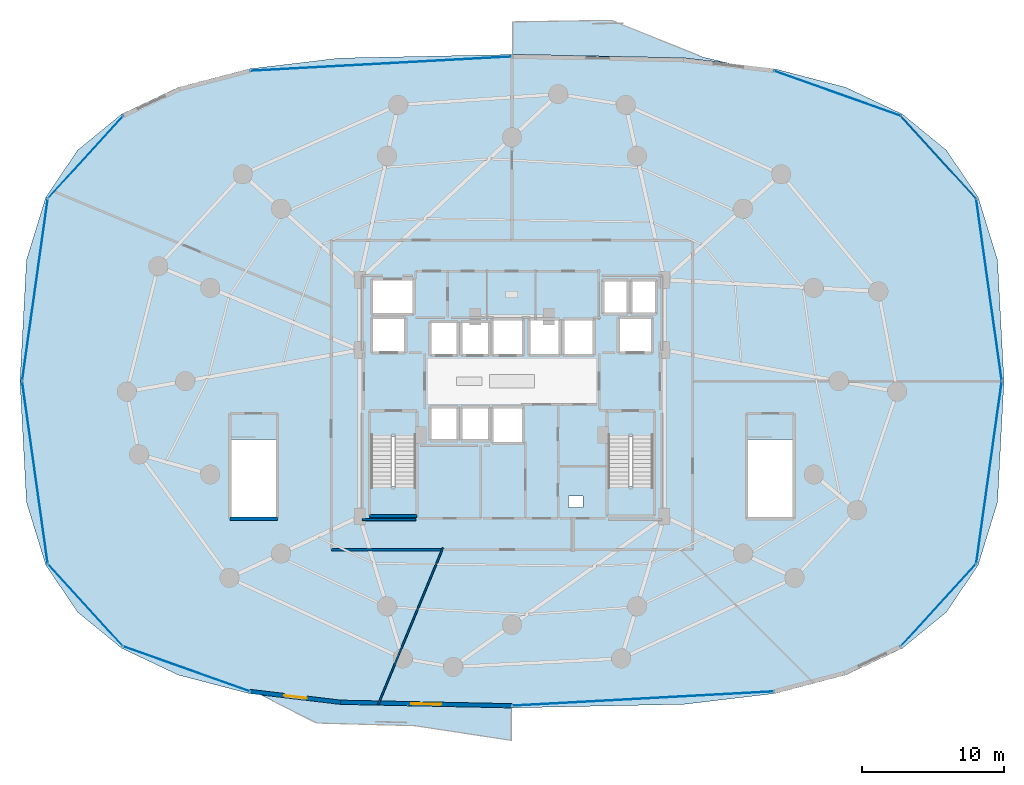
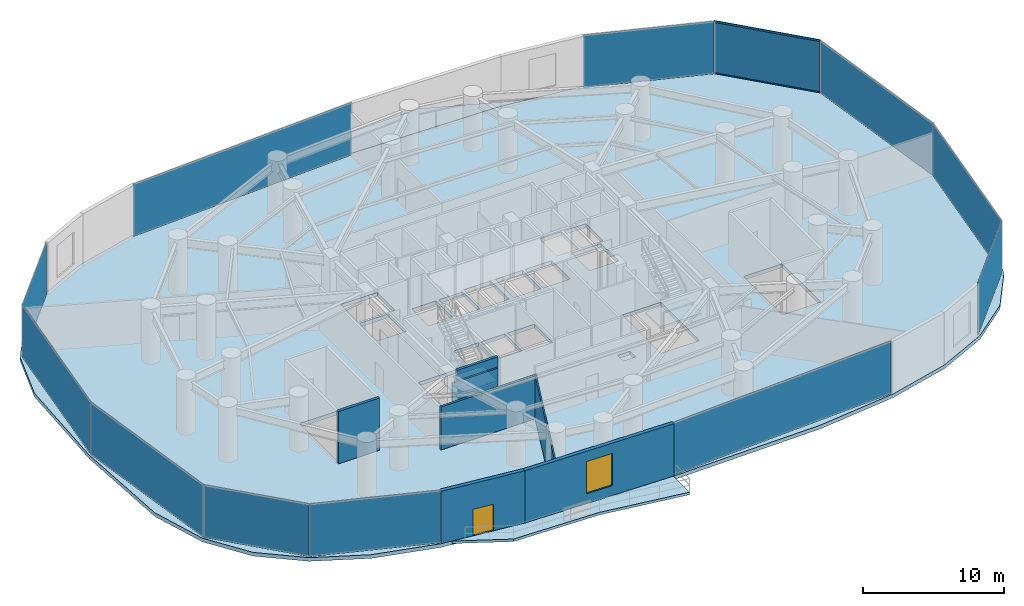
# One storey, part 25 of 32: 12 plates, 7 walls, 5 slabs, 2 members, 1 door, 1 window, 2 openings, 6 elements without a shape of their own.
"""IFC4 building model written with IfcOpenShell, lengths in metres."""

from ifc_helpers import new_model, si_unit, direction, frame, frame_2d, origin, origin_2d, place, context, subcontext, project, spatial, polyline, rectangle, hollow_rectangle, outline, extrude, material, layer, layer_set, material_profile, profile_set, type_object, element, fill, aggregate, save


model = new_model("IFC4")

# Units and contexts
model_context = context("Model", 3, precision=1e-05, world=origin(), true_north=direction((0.0, 1.0)))
body_context = subcontext(model_context, "Body", "Model", "MODEL_VIEW")
ifc_project = project(units=[si_unit("LENGTHUNIT", "METRE"), si_unit("AREAUNIT", "SQUARE_METRE"), si_unit("VOLUMEUNIT", "CUBIC_METRE"), si_unit("PLANEANGLEUNIT", "RADIAN"), si_unit("MASSUNIT", "GRAM", prefix="KILO")], contexts=[model_context])

# Site, building, storey
site_placement = place(None, origin())
site = spatial("IfcSite", under=ifc_project, at=site_placement, CompositionType="ELEMENT")
building_placement = place(site_placement, origin())
building = spatial("IfcBuilding", under=site, at=building_placement, Name="Vorneva Point Tower", CompositionType="ELEMENT")
storey_placement = place(building_placement, frame((0.0, 0.0, 19.199951171875)))
storey = spatial("IfcBuildingStorey", under=building, at=storey_placement, Name="L04", CompositionType="ELEMENT", Elevation=19.199951171875)

# Curtain wall, members, plates
ifc_material_1 = material(Name="Pale anodised aluminium", Category="aluminium")
curtain_wall_type = type_object("IfcCurtainWallType", Name="CW-POD-SYS", PredefinedType="NOTDEFINED", material=ifc_material_1)
curtain_wall_1_placement = place(storey_placement, origin())
curtain_wall_1 = element("IfcCurtainWall", 1, at=curtain_wall_1_placement, inside=storey, type_object=curtain_wall_type, Name="L04 Unitised Curtain Wall CW-L04-R01", PredefinedType="NOTDEFINED")
ifc_material_profile = material_profile(ifc_material_1, hollow_rectangle(XDim=0.074951171875, YDim=0.14990234375, WallThickness=0.00390625, at=origin_2d()), Name="AL-TRN 150x75x4")
ifc_profile_set = profile_set([ifc_material_profile], Name="Pale anodised aluminium")
member_type = type_object("IfcMemberType", Name="CW-TRN-150", PredefinedType="USERDEFINED", material=ifc_profile_set)
member_1_placement = place(storey_placement, frame((70.749755859375, 38.890869140625, 0.02001953125), z_axis=(-0.674755734316, 0.738041122843, 0.0), x_axis=(-0.738041122843, -0.674755734316, 0.0)))
member_1 = element("IfcMember", 2, at=member_1_placement, type_object=member_type, Name="CW-L04-R01 Transom 04.1", ObjectType="TRANSOM", PredefinedType="USERDEFINED", context=body_context, shape_type="SweptSolid", body=[
    extrude(hollow_rectangle(XDim=0.074951171875, YDim=0.14990234375, WallThickness=0.00390625, at=origin_2d()), origin(), (0.0, 0.0, 1.0), 7.900634765625),
])
member_2_placement = place(storey_placement, frame((70.749755859375, 38.890869140625, 4.52001953125), z_axis=(-0.674755734316, 0.738041122843, 0.0), x_axis=(-0.738041122843, -0.674755734316, 0.0)))
member_2 = element("IfcMember", 3, at=member_2_placement, type_object=member_type, Name="CW-L04-R01 Transom 04.2", ObjectType="TRANSOM", PredefinedType="USERDEFINED", context=body_context, shape_type="SweptSolid", body=[
    extrude(hollow_rectangle(XDim=0.074951171875, YDim=0.14990234375, WallThickness=0.00390625, at=origin_2d()), origin(), (0.0, 0.0, 1.0), 7.900634765625),
])
ifc_material_2 = material(Name="Double low-e laminated glass IGU", Category="glass")
ifc_layer_1 = layer(ifc_material_2, 0.035888671875)
ifc_layer_set_1 = layer_set([ifc_layer_1], Name="Double low-e laminated glass IGU")
plate_type = type_object("IfcPlateType", Name="CW-PNL-VIS", PredefinedType="CURTAIN_PANEL", material=ifc_layer_set_1)
plate_1_placement = place(storey_placement, frame((68.084228515625, 10.193603515625, -0.02001953125), z_axis=(0.0, 0.0, 1.0), x_axis=(0.674753358443, 0.738043294983, 0.0)))
plate_1 = element("IfcPlate", 4, at=plate_1_placement, type_object=plate_type, Name="CW-L04-R01 Glazed Panel 01", PredefinedType="CURTAIN_PANEL", context=body_context, shape_type="SweptSolid", body=[
    extrude(rectangle(XDim=7.850830078125, YDim=0.035888671875, at=origin_2d()), origin(), (0.0, 0.0, 1.0), 4.580078125),
])
plate_2_placement = place(storey_placement, frame((71.6552734375, 19.5546875, -0.02001953125), z_axis=(0.0, 0.0, 1.0), x_axis=(0.139121250454, 0.990275354471, 0.0)))
plate_2 = element("IfcPlate", 5, at=plate_2_placement, type_object=plate_type, Name="CW-L04-R01 Glazed Panel 02", PredefinedType="CURTAIN_PANEL", context=body_context, shape_type="SweptSolid", body=[
    extrude(rectangle(XDim=12.96728515625, YDim=0.035888671875, at=origin_2d()), origin(), (0.0, 0.0, 1.0), 4.580078125),
])
plate_3_placement = place(storey_placement, frame((71.6552734375, 32.4453125, -0.02001953125), z_axis=(0.0, 0.0, 1.0), x_axis=(-0.139121250454, 0.990275354471, 0.0)))
plate_3 = element("IfcPlate", 6, at=plate_3_placement, type_object=plate_type, Name="CW-L04-R01 Glazed Panel 03", PredefinedType="CURTAIN_PANEL", context=body_context, shape_type="SweptSolid", body=[
    extrude(rectangle(XDim=12.96728515625, YDim=0.035888671875, at=origin_2d()), origin(), (0.0, 0.0, 1.0), 4.580078125),
])
plate_4_placement = place(storey_placement, frame((68.084228515625, 41.806396484375, -0.02001953125), z_axis=(0.0, 0.0, 1.0), x_axis=(-0.674753358443, 0.738043294983, 0.0)))
plate_4 = element("IfcPlate", 7, at=plate_4_placement, type_object=plate_type, Name="CW-L04-R01 Glazed Panel 04", PredefinedType="CURTAIN_PANEL", context=body_context, shape_type="SweptSolid", body=[
    extrude(rectangle(XDim=7.850830078125, YDim=0.035888671875, at=origin_2d()), origin(), (0.0, 0.0, 1.0), 4.580078125),
])
plate_5_placement = place(storey_placement, frame((60.950439453125, 46.307373046875, -0.02001953125), z_axis=(0.0, 0.0, 1.0), x_axis=(-0.942431568001, 0.334399072421, 0.0)))
plate_5 = element("IfcPlate", 8, at=plate_5_placement, type_object=plate_type, Name="CW-L04-R01 Glazed Panel 05", PredefinedType="CURTAIN_PANEL", context=body_context, shape_type="SweptSolid", body=[
    extrude(rectangle(XDim=9.431884765625, YDim=0.035888671875, at=origin_2d()), origin(), (0.0, 0.0, 1.0), 4.580078125),
])
aggregate(curtain_wall_1, [plate_1, plate_2, plate_3, member_1, member_2, plate_4, plate_5])

# Curtain wall, plate
curtain_wall_2_placement = place(storey_placement, origin())
curtain_wall_2 = element("IfcCurtainWall", 9, at=curtain_wall_2_placement, inside=storey, type_object=curtain_wall_type, Name="L04 Unitised Curtain Wall CW-L04-R02", PredefinedType="NOTDEFINED")
plate_6_placement = place(storey_placement, frame((28.7587890625, 48.397216796875, -0.02001953125), z_axis=(0.0, 0.0, 1.0), x_axis=(-0.998514881247, -0.054479646927, 0.0)))
plate_6 = element("IfcPlate", 10, at=plate_6_placement, type_object=plate_type, Name="CW-L04-R02 Glazed Panel 01", PredefinedType="CURTAIN_PANEL", context=body_context, shape_type="SweptSolid", body=[
    extrude(rectangle(XDim=18.4599609375, YDim=0.035888671875, at=origin_2d()), origin(), (0.0, 0.0, 1.0), 4.580078125),
])
aggregate(curtain_wall_2, [plate_6])

# Curtain wall, plates
curtain_wall_3_placement = place(storey_placement, origin())
curtain_wall_3 = element("IfcCurtainWall", 11, at=curtain_wall_3_placement, inside=storey, type_object=curtain_wall_type, Name="L04 Unitised Curtain Wall CW-L04-R03", PredefinedType="NOTDEFINED")
plate_7_placement = place(storey_placement, frame((7.915771484375, 41.806396484375, -0.02001953125), z_axis=(0.0, 0.0, 1.0), x_axis=(-0.674753358443, -0.738043294983, 0.0)))
plate_7 = element("IfcPlate", 12, at=plate_7_placement, type_object=plate_type, Name="CW-L04-R03 Glazed Panel 01", PredefinedType="CURTAIN_PANEL", context=body_context, shape_type="SweptSolid", body=[
    extrude(rectangle(XDim=7.850830078125, YDim=0.035888671875, at=origin_2d()), origin(), (0.0, 0.0, 1.0), 4.580078125),
])
plate_8_placement = place(storey_placement, frame((4.3447265625, 32.4453125, -0.02001953125), z_axis=(0.0, 0.0, 1.0), x_axis=(-0.139121250454, -0.990275354471, 0.0)))
plate_8 = element("IfcPlate", 13, at=plate_8_placement, type_object=plate_type, Name="CW-L04-R03 Glazed Panel 02", PredefinedType="CURTAIN_PANEL", context=body_context, shape_type="SweptSolid", body=[
    extrude(rectangle(XDim=12.96728515625, YDim=0.035888671875, at=origin_2d()), origin(), (0.0, 0.0, 1.0), 4.580078125),
])
plate_9_placement = place(storey_placement, frame((4.3447265625, 19.5546875, -0.02001953125), z_axis=(0.0, 0.0, 1.0), x_axis=(0.139121250454, -0.990275354471, 0.0)))
plate_9 = element("IfcPlate", 14, at=plate_9_placement, type_object=plate_type, Name="CW-L04-R03 Glazed Panel 03", PredefinedType="CURTAIN_PANEL", context=body_context, shape_type="SweptSolid", body=[
    extrude(rectangle(XDim=12.96728515625, YDim=0.035888671875, at=origin_2d()), origin(), (0.0, 0.0, 1.0), 4.580078125),
])
plate_10_placement = place(storey_placement, frame((7.915771484375, 10.193603515625, -0.02001953125), z_axis=(0.0, 0.0, 1.0), x_axis=(0.674753358443, -0.738043294983, 0.0)))
plate_10 = element("IfcPlate", 15, at=plate_10_placement, type_object=plate_type, Name="CW-L04-R03 Glazed Panel 04", PredefinedType="CURTAIN_PANEL", context=body_context, shape_type="SweptSolid", body=[
    extrude(rectangle(XDim=7.850830078125, YDim=0.035888671875, at=origin_2d()), origin(), (0.0, 0.0, 1.0), 4.580078125),
])
plate_11_placement = place(storey_placement, frame((15.049560546875, 5.692626953125, -0.02001953125), z_axis=(0.0, 0.0, 1.0), x_axis=(0.942431568001, -0.334399072421, 0.0)))
plate_11 = element("IfcPlate", 16, at=plate_11_placement, type_object=plate_type, Name="CW-L04-R03 Glazed Panel 05", PredefinedType="CURTAIN_PANEL", context=body_context, shape_type="SweptSolid", body=[
    extrude(rectangle(XDim=9.431884765625, YDim=0.035888671875, at=origin_2d()), origin(), (0.0, 0.0, 1.0), 4.580078125),
])
aggregate(curtain_wall_3, [plate_7, plate_8, plate_9, plate_10, plate_11])

# Curtain wall, plate
curtain_wall_4_placement = place(storey_placement, origin())
curtain_wall_4 = element("IfcCurtainWall", 17, at=curtain_wall_4_placement, inside=storey, type_object=curtain_wall_type, Name="L04 Unitised Curtain Wall CW-L04-R04", PredefinedType="NOTDEFINED")
plate_12_placement = place(storey_placement, frame((47.2412109375, 3.602783203125, -0.02001953125), z_axis=(0.0, 0.0, 1.0), x_axis=(0.998514881247, 0.054479646927, 0.0)))
plate_12 = element("IfcPlate", 18, at=plate_12_placement, type_object=plate_type, Name="CW-L04-R04 Glazed Panel 01", PredefinedType="CURTAIN_PANEL", context=body_context, shape_type="SweptSolid", body=[
    extrude(rectangle(XDim=18.4599609375, YDim=0.035888671875, at=origin_2d()), origin(), (0.0, 0.0, 1.0), 4.580078125),
])
aggregate(curtain_wall_4, [plate_12])

# Slabs
ifc_material_3 = material(Name="Concrete B50 (C40/50)", Category="concrete")
ifc_layer_2 = layer(ifc_material_3, 0.219970703125)
ifc_layer_set_2 = layer_set([ifc_layer_2], Name="Concrete B50 (C40/50)")
slab_type_1 = type_object("IfcSlabType", Name="SLB-BAL-220", PredefinedType="FLOOR", material=ifc_layer_set_2)
slab_1_placement = place(storey_placement, frame((0.0, 0.0, -0.219970703125)))
element("IfcSlab", 19, at=slab_1_placement, inside=storey, type_object=slab_type_1, Name="L04 Cantilevered Wave Balcony NE", PredefinedType="FLOOR", context=body_context, shape_type="SweptSolid", body=[
    extrude(outline(polyline([(38.050048828125, 51.350830078125), (38.050048828125, 49.052001953125), (50.14404296875, 48.801513671875), (50.14453125, 48.801513671875), (53.36376953125, 48.418701171875), (51.443115234375, 48.872802734375), (45.013427734375, 51.459228515625), (38.050048828125, 51.350830078125)])), origin(), (0.0, 0.0, 1.0), 0.219970703125),
])
slab_2_placement = place(storey_placement, frame((0.0, 0.0, -0.219970703125)))
element("IfcSlab", 20, at=slab_2_placement, inside=storey, type_object=slab_type_1, Name="L04 Cantilevered Wave Balcony SW", PredefinedType="FLOOR", context=body_context, shape_type="SweptSolid", body=[
    extrude(outline(polyline([(37.949951171875, 0.65771484375), (37.949951171875, 2.947998046875), (25.85595703125, 3.198486328125), (25.85546875, 3.198486328125), (20.2919921875, 3.860107421875), (24.2041015625, 1.8828125), (31.143310546875, 1.694091796875), (37.949951171875, 0.65771484375)])), origin(), (0.0, 0.0, 1.0), 0.219970703125),
])

# Stair, slab
stair_type = type_object("IfcStairType", Name="ST-DOG-1500", PredefinedType="HALF_TURN_STAIR", material=ifc_material_3)
stair_1_placement = place(storey_placement, origin())
stair_1 = element("IfcStair", 21, at=stair_1_placement, inside=storey, type_object=stair_type, Name="L04 ST1", PredefinedType="HALF_TURN_STAIR")
ifc_layer_3 = layer(ifc_material_3, 0.199951171875)
ifc_layer_set_3 = layer_set([ifc_layer_3], Name="Concrete B50 (C40/50)")
slab_type_2 = type_object("IfcSlabType", Name="SLB-LND-200", PredefinedType="LANDING", material=ifc_layer_set_3)
slab_3_placement = place(storey_placement, frame((0.0, 0.0, 2.199951171875)))
slab_3 = element("IfcSlab", 22, at=slab_3_placement, type_object=slab_type_2, Name="ST1 landing 1", PredefinedType="LANDING", context=body_context, shape_type="SweptSolid", body=[
    extrude(outline(polyline([(27.929931640625, 16.47998046875), (31.320068359375, 16.47998046875), (31.320068359375, 18.570068359375), (27.929931640625, 18.570068359375), (27.929931640625, 16.47998046875)])), origin(), (0.0, 0.0, 1.0), 0.2001953125),
])
aggregate(stair_1, [slab_3])

stair_2_placement = place(storey_placement, origin())
stair_2 = element("IfcStair", 23, at=stair_2_placement, inside=storey, type_object=stair_type, Name="L04 ST2", PredefinedType="HALF_TURN_STAIR")
slab_4_placement = place(storey_placement, frame((0.0, 0.0, 2.199951171875)))
slab_4 = element("IfcSlab", 24, at=slab_4_placement, type_object=slab_type_2, Name="ST2 landing 1", PredefinedType="LANDING", context=body_context, shape_type="SweptSolid", body=[
    extrude(outline(polyline([(44.679931640625, 16.47998046875), (48.070068359375, 16.47998046875), (48.070068359375, 18.570068359375), (44.679931640625, 18.570068359375), (44.679931640625, 16.47998046875)])), origin(), (0.0, 0.0, 1.0), 0.2001953125),
])
aggregate(stair_2, [slab_4])

# Slab
ifc_layer_4 = layer(ifc_material_3, 0.320068359375)
ifc_layer_set_4 = layer_set([ifc_layer_4], Name="Concrete B50 (C40/50)")
slab_type_3 = type_object("IfcSlabType", Name="SLB-POD-320", PredefinedType="FLOOR", material=ifc_layer_set_4)
slab_5_placement = place(storey_placement, frame((0.0, 0.0, -0.320068359375)))
element("IfcSlab", 25, at=slab_5_placement, inside=storey, type_object=slab_type_3, Name="L04 Structural Floor Plate", PredefinedType="FLOOR", context=body_context, shape_type="SweptSolid", body=[
    extrude(outline(polyline([(72.712890625, 26.0), (72.256103515625, 34.54248046875), (70.89404296875, 38.97412109375), (68.64892578125, 42.299072265625), (65.539306640625, 44.8427734375), (61.5498046875, 46.73095703125), (56.56396484375, 48.0341796875), (50.14404296875, 48.797607421875), (38.0, 49.049072265625), (25.85595703125, 48.797607421875), (19.43603515625, 48.0341796875), (14.4501953125, 46.73095703125), (10.460693359375, 44.8427734375), (7.35107421875, 42.299072265625), (5.10595703125, 38.97412109375), (3.743896484375, 34.54248046875), (3.287109375, 26.0), (3.743896484375, 17.45751953125), (5.10595703125, 13.02587890625), (7.35107421875, 9.700927734375), (10.460693359375, 7.1572265625), (14.4501953125, 5.26904296875), (19.43603515625, 3.9658203125), (25.85595703125, 3.202392578125), (38.0, 2.950927734375), (50.14404296875, 3.202392578125), (56.56396484375, 3.9658203125), (61.5498046875, 5.26904296875), (65.539306640625, 7.1572265625), (68.64892578125, 9.700927734375), (70.89404296875, 13.02587890625), (72.256103515625, 17.45751953125), (72.712890625, 26.0)]), holes=[polyline([(32.199951171875, 27.800048828125), (34.199951171875, 27.800048828125), (34.199951171875, 30.199951171875), (32.199951171875, 30.199951171875), (32.199951171875, 27.800048828125)]), polyline([(34.39990234375, 27.800048828125), (36.39990234375, 27.800048828125), (36.39990234375, 30.199951171875), (34.39990234375, 30.199951171875), (34.39990234375, 27.800048828125)]), polyline([(36.60009765625, 27.800048828125), (38.800048828125, 27.800048828125), (38.800048828125, 30.39990234375), (36.60009765625, 30.39990234375), (36.60009765625, 27.800048828125)]), polyline([(32.199951171875, 21.800048828125), (34.199951171875, 21.800048828125), (34.199951171875, 24.199951171875), (32.199951171875, 24.199951171875), (32.199951171875, 21.800048828125)]), polyline([(34.39990234375, 21.800048828125), (36.39990234375, 21.800048828125), (36.39990234375, 24.199951171875), (34.39990234375, 24.199951171875), (34.39990234375, 21.800048828125)]), polyline([(36.60009765625, 21.60009765625), (38.800048828125, 21.60009765625), (38.800048828125, 24.199951171875), (36.60009765625, 24.199951171875), (36.60009765625, 21.60009765625)]), polyline([(39.199951171875, 27.800048828125), (41.39990234375, 27.800048828125), (41.39990234375, 30.39990234375), (39.199951171875, 30.39990234375), (39.199951171875, 27.800048828125)]), polyline([(41.60009765625, 27.800048828125), (43.800048828125, 27.800048828125), (43.800048828125, 30.39990234375), (41.60009765625, 30.39990234375), (41.60009765625, 27.800048828125)]), polyline([(44.39990234375, 30.739990234375), (46.199951171875, 30.739990234375), (46.199951171875, 33.159912109375), (44.39990234375, 33.159912109375), (44.39990234375, 30.739990234375)]), polyline([(46.39990234375, 30.739990234375), (48.199951171875, 30.739990234375), (48.199951171875, 33.159912109375), (46.39990234375, 33.159912109375), (46.39990234375, 30.739990234375)]), polyline([(28.10009765625, 28.0), (30.5, 28.0), (30.5, 30.5), (28.10009765625, 30.5), (28.10009765625, 28.0)]), polyline([(45.5, 28.0), (47.89990234375, 28.0), (47.89990234375, 30.5), (45.5, 30.5), (45.5, 28.0)]), polyline([(28.10009765625, 30.699951171875), (31.10009765625, 30.699951171875), (31.10009765625, 33.199951171875), (28.10009765625, 33.199951171875), (28.10009765625, 30.699951171875)]), polyline([(28.050048828125, 16.60009765625), (31.199951171875, 16.60009765625), (31.199951171875, 22.080078125), (28.050048828125, 22.080078125), (28.050048828125, 16.60009765625)]), polyline([(44.800048828125, 16.60009765625), (47.949951171875, 16.60009765625), (47.949951171875, 22.080078125), (44.800048828125, 22.080078125), (44.800048828125, 16.60009765625)]), polyline([(18.199951171875, 16.39990234375), (21.35009765625, 16.39990234375), (21.35009765625, 21.8798828125), (18.199951171875, 21.8798828125), (18.199951171875, 16.39990234375)]), polyline([(54.64990234375, 16.39990234375), (57.800048828125, 16.39990234375), (57.800048828125, 21.8798828125), (54.64990234375, 21.8798828125), (54.64990234375, 16.39990234375)]), polyline([(42.0, 17.10009765625), (43.0, 17.10009765625), (43.0, 17.89990234375), (42.0, 17.89990234375), (42.0, 17.10009765625)])]), origin(), (0.0, 0.0, 1.0), 0.320068359375),
])

# Wall, opening, door
ifc_material_4 = material(Name="Precast concrete B50 (C40/50)", Category="concrete")
ifc_layer_5 = layer(ifc_material_4, 0.300048828125)
ifc_layer_set_5 = layer_set([ifc_layer_5], Name="Precast concrete B50 (C40/50)")
wall_type_1 = type_object("IfcWallType", Name="WL-EXT-300", PredefinedType="STANDARD", material=ifc_layer_set_5)
wall_1_placement = place(storey_placement, frame((19.517578125, 4.107177734375, 0.0), z_axis=(0.0, 0.0, 1.0), x_axis=(0.993026809301, -0.117888744206, 0.0)))
wall_1 = element("IfcWall", 26, at=wall_1_placement, inside=storey, type_object=wall_type_1, Name="L04 Pale-Metal Facade Spandrel Wall 12.1", PredefinedType="STANDARD", context=body_context, shape_type="SweptSolid", body=[
    extrude(rectangle(XDim=6.4365234375, YDim=0.300048828125, at=frame_2d((3.21826171875, 0.0))), origin(), (0.0, 0.0, 1.0), 4.5400390625),
])
opening_1_placement = place(wall_1_placement, frame((2.418212890625, 0.0, 0.0)))
opening_1 = element("IfcOpeningElement", 27, at=opening_1_placement, cuts=wall_1, Name="Opening BD-01", PredefinedType="OPENING", context=body_context, shape_type="SweptSolid", body=[
    extrude(rectangle(XDim=1.60009765625, YDim=2.300048828125, at=frame_2d((0.800048828125, 1.14990234375))), frame((0.0, 0.1650390625, 0.0), z_axis=(0.0, -1.0, 0.0), x_axis=(1.0, 0.0, 0.0)), (0.0, 0.0, 1.0), 0.329833984375),
])
door_type = type_object("IfcDoorType", Name="DR-BAL-1600", OperationType="SLIDING_TO_LEFT", PredefinedType="DOOR", material=ifc_material_1)
door_placement = place(opening_1_placement, origin())
door = element("IfcDoor", 28, at=door_placement, inside=storey, type_object=door_type, Name="L04 Balcony Terrace Access Door 12", OperationType="SLIDING_TO_LEFT", OverallHeight=2.300048828125, OverallWidth=1.60009765625, PredefinedType="DOOR", context=body_context, shape_type="SweptSolid", body=[
    extrude(rectangle(XDim=1.60009765625, YDim=2.300048828125, at=frame_2d((0.800048828125, 1.14990234375))), frame((0.0, 0.02490234375, 0.0), z_axis=(0.0, -1.0, 0.0), x_axis=(1.0, 0.0, 0.0)), (0.0, 0.0, 1.0), 0.050048828125),
])
fill(opening_1, door)

# Wall, opening, window
wall_2_placement = place(storey_placement, frame((25.9091796875, 3.348388671875, 0.0), z_axis=(0.0, 0.0, 1.0), x_axis=(0.99978671963, -0.020652245662, 0.0)))
wall_2 = element("IfcWall", 29, at=wall_2_placement, inside=storey, type_object=wall_type_1, Name="L04 Pale-Metal Facade Spandrel Wall 12.2", PredefinedType="STANDARD", context=body_context, shape_type="SweptSolid", body=[
    extrude(rectangle(XDim=12.093505859375, YDim=0.300048828125, at=frame_2d((6.046875, 0.0))), origin(), (0.0, 0.0, 1.0), 4.5400390625),
])
opening_2_placement = place(wall_2_placement, frame((4.99658203125, 0.0, 0.85009765625)))
opening_2 = element("IfcOpeningElement", 30, at=opening_2_placement, cuts=wall_2, Name="Opening W-05", PredefinedType="OPENING", context=body_context, shape_type="SweptSolid", body=[
    extrude(rectangle(XDim=2.10009765625, YDim=2.800048828125, at=frame_2d((1.050048828125, 1.39990234375))), frame((0.0, 0.1650390625, 0.0), z_axis=(0.0, -1.0, 0.0), x_axis=(1.0, 0.0, 0.0)), (0.0, 0.0, 1.0), 0.329833984375),
])
window_type = type_object("IfcWindowType", Name="WN-POD-2100", PartitioningType="SINGLE_PANEL", PredefinedType="WINDOW", material=ifc_material_2)
window_placement = place(opening_2_placement, origin())
window = element("IfcWindow", 31, at=window_placement, inside=storey, type_object=window_type, Name="L04 Facade Window 12", OverallHeight=2.800048828125, OverallWidth=2.10009765625, PartitioningType="SINGLE_PANEL", PredefinedType="WINDOW", context=body_context, shape_type="SweptSolid", body=[
    extrude(rectangle(XDim=2.10009765625, YDim=2.800048828125, at=frame_2d((1.050048828125, 1.39990234375))), frame((0.0, 0.030029296875, 0.0), z_axis=(0.0, -1.0, 0.0), x_axis=(1.0, 0.0, 0.0)), (0.0, 0.0, 1.0), 0.06005859375),
])
fill(opening_2, window)

# Walls
ifc_material_5 = material(Name="Fire-rated acoustic gypsum stud partition", Category="gypsum")
ifc_layer_6 = layer(ifc_material_5, 0.110107421875)
ifc_layer_set_6 = layer_set([ifc_layer_6], Name="Fire-rated acoustic gypsum stud partition")
wall_type_2 = type_object("IfcWallType", Name="WL-PART-110", PredefinedType="PARTITIONING", material=ifc_layer_set_6)
wall_3_placement = place(storey_placement, frame((28.54248046875, 3.166748046875, 0.0), z_axis=(0.0, 0.0, 1.0), x_axis=(0.382668727465, 0.923885623343, 0.0)))
element("IfcWall", 32, at=wall_3_placement, inside=storey, type_object=wall_type_2, Name="L04 Interior Partition 041", PredefinedType="PARTITIONING", context=body_context, shape_type="SweptSolid", body=[
    extrude(rectangle(XDim=11.973876953125, YDim=0.110107421875, at=frame_2d((5.98681640625, 0.0))), origin(), (0.0, 0.0, 1.0), 3.73193359375),
])
ifc_layer_7 = layer(ifc_material_5, 0.139892578125)
ifc_layer_set_7 = layer_set([ifc_layer_7], Name="Fire-rated acoustic gypsum stud partition")
wall_type_3 = type_object("IfcWallType", Name="WL-PART-140", PredefinedType="PARTITIONING", material=ifc_layer_set_7)
wall_4_placement = place(storey_placement, frame((31.195068359375, 16.239990234375, 0.0), z_axis=(0.0, 0.0, 1.0), x_axis=(-1.0, 0.0, 0.0)))
element("IfcWall", 33, at=wall_4_placement, inside=storey, type_object=wall_type_3, Name="L04 Interior Closure Partition 057", PredefinedType="PARTITIONING", context=body_context, shape_type="SweptSolid", body=[
    extrude(rectangle(XDim=3.7451171875, YDim=0.139892578125, at=frame_2d((1.87255859375, 0.0))), origin(), (0.0, 0.0, 1.0), 3.73193359375),
])
ifc_material_6 = material(Name="Autoclaved aerated concrete blockwork", Category="masonry")
ifc_layer_8 = layer(ifc_material_6, 0.179931640625)
ifc_layer_set_8 = layer_set([ifc_layer_8], Name="Autoclaved aerated concrete blockwork")
wall_type_4 = type_object("IfcWallType", Name="WL-PART-180", PredefinedType="PARTITIONING", material=ifc_layer_set_8)
wall_5_placement = place(storey_placement, frame((25.25, 14.10009765625, 0.0), z_axis=(0.0, 0.0, 1.0), x_axis=(1.0, 0.0, 0.0)))
element("IfcWall", 34, at=wall_5_placement, inside=storey, type_object=wall_type_4, Name="L04 Interior Partition 031", PredefinedType="PARTITIONING", context=body_context, shape_type="SweptSolid", body=[
    extrude(rectangle(XDim=7.881103515625, YDim=0.179931640625, at=frame_2d((3.9404296875, 0.0))), origin(), (0.0, 0.0, 1.0), 3.73193359375),
])
ifc_layer_9 = layer(ifc_material_3, 0.219970703125)
ifc_layer_set_9 = layer_set([ifc_layer_9], Name="Concrete B50 (C40/50)")
wall_type_5 = type_object("IfcWallType", Name="WL-SHFT-220", PredefinedType="SOLIDWALL", material=ifc_layer_set_9)
wall_6_placement = place(storey_placement, frame((31.31005859375, 16.489990234375, 0.0), z_axis=(0.0, 0.0, 1.0), x_axis=(-1.0, 0.0, 0.0)))
element("IfcWall", 35, at=wall_6_placement, inside=storey, type_object=wall_type_5, Name="L04 Exit Stair ST1 Shaft Wall far", PredefinedType="SOLIDWALL", context=body_context, shape_type="SweptSolid", body=[
    extrude(rectangle(XDim=3.3701171875, YDim=0.219970703125, at=frame_2d((1.68505859375, 0.0))), origin(), (0.0, 0.0, 1.0), 4.5400390625),
])
wall_7_placement = place(storey_placement, frame((21.4599609375, 16.2900390625, 0.0), z_axis=(0.0, 0.0, 1.0), x_axis=(-1.0, 0.0, 0.0)))
element("IfcWall", 36, at=wall_7_placement, inside=storey, type_object=wall_type_5, Name="L04 Exit Stair ST3 Shaft Wall far", PredefinedType="SOLIDWALL", context=body_context, shape_type="SweptSolid", body=[
    extrude(rectangle(XDim=3.369873046875, YDim=0.219970703125, at=frame_2d((1.68505859375, 0.0))), origin(), (0.0, 0.0, 1.0), 4.5400390625),
])

save(model, "model.ifc")
